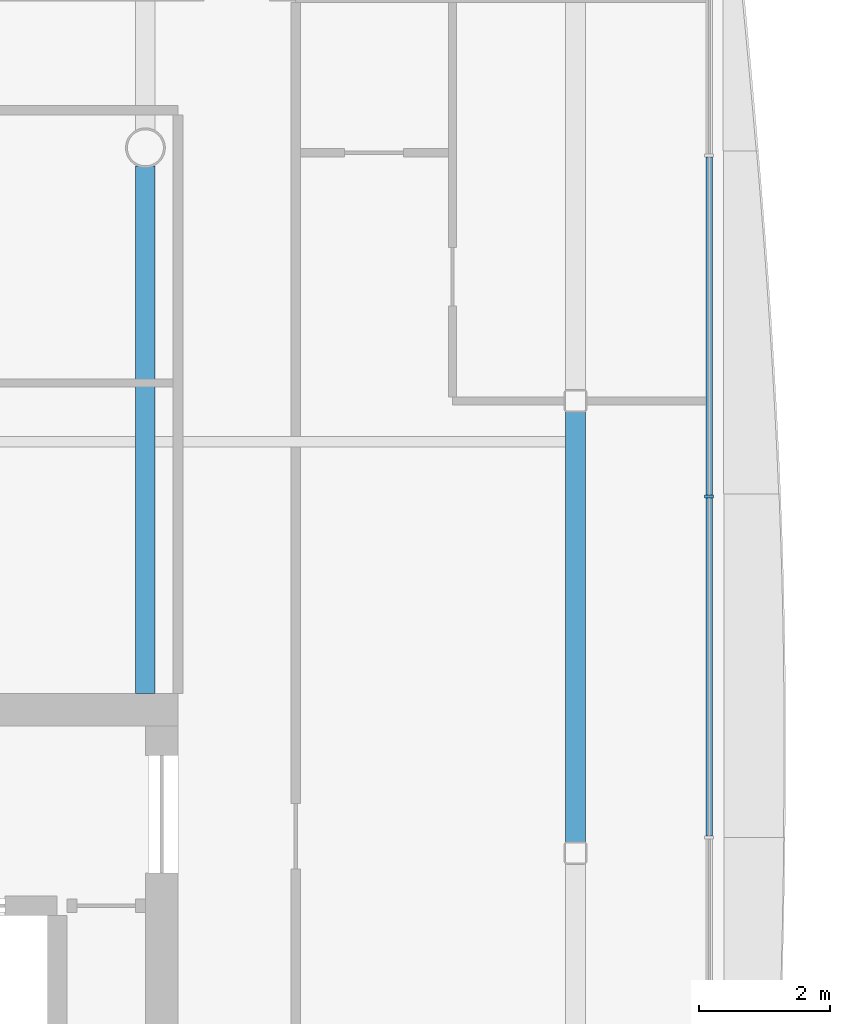
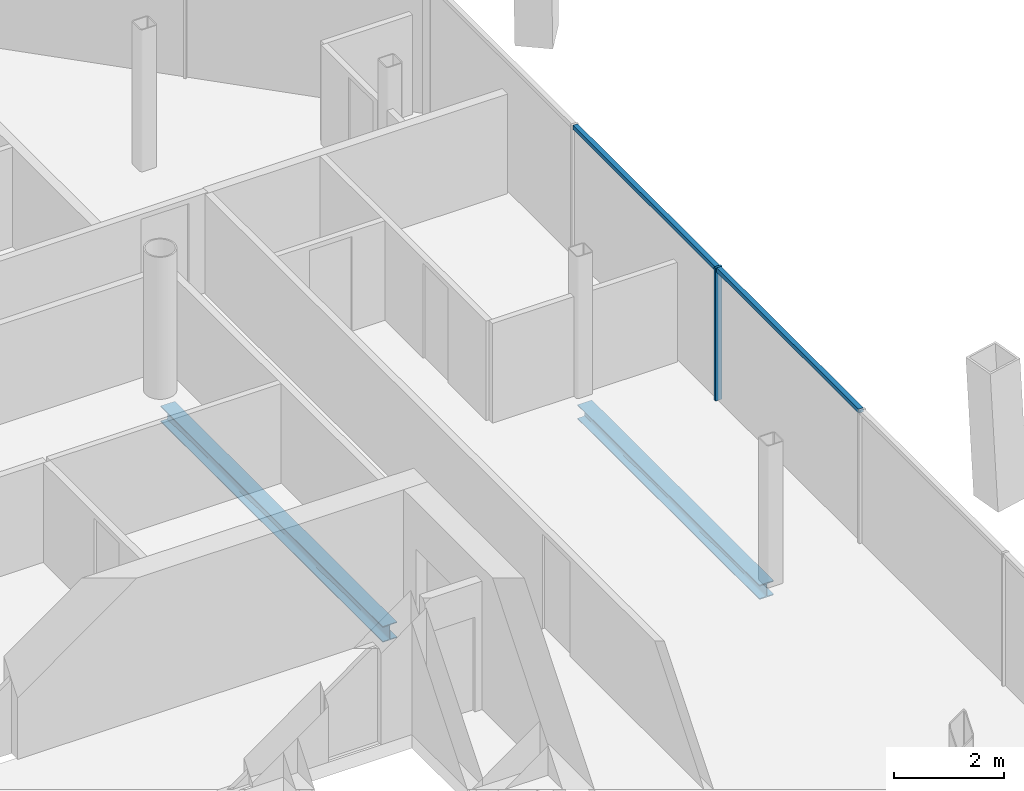
# One storey, part 9 of 20: 3 members, 2 beams, 1 element without a shape of its own.
"""IFC4 building model written with IfcOpenShell, lengths in metres."""

from ifc_helpers import new_model, si_unit, direction, frame, origin, origin_2d, place, context, subcontext, project, spatial, rectangle, i_section, extrude, material, material_profile, profile_set, type_object, element, aggregate, save


model = new_model("IFC4")

# Units and contexts
model_context = context("Model", 3, precision=1e-05, world=origin(), true_north=direction((0.0, 1.0)))
body_context = subcontext(model_context, "Body", "Model", "MODEL_VIEW")
ifc_project = project(units=[si_unit("LENGTHUNIT", "METRE"), si_unit("AREAUNIT", "SQUARE_METRE"), si_unit("VOLUMEUNIT", "CUBIC_METRE"), si_unit("PLANEANGLEUNIT", "RADIAN"), si_unit("MASSUNIT", "GRAM", prefix="KILO")], contexts=[model_context])

# Site, building, storey
site_placement = place(None, origin())
site = spatial("IfcSite", under=ifc_project, at=site_placement, CompositionType="ELEMENT")
building_placement = place(site_placement, origin())
building = spatial("IfcBuilding", under=site, at=building_placement, Name="Tskaro Facet Tower", CompositionType="ELEMENT")
storey_placement = place(building_placement, frame((0.0, 0.0, 184.800048828125)))
storey = spatial("IfcBuildingStorey", under=building, at=storey_placement, Name="L46", CompositionType="ELEMENT", Elevation=184.800048828125)

# Curtain wall, members
ifc_material_1 = material(Name="Bronze anodised aluminium 6063-T6", Category="aluminium")
curtain_wall_type = type_object("IfcCurtainWallType", Name="Bronze residence curtain wall (FW3)", PredefinedType="NOTDEFINED", material=ifc_material_1)
curtain_wall_placement = place(storey_placement, origin())
curtain_wall = element("IfcCurtainWall", 1, at=curtain_wall_placement, inside=storey, type_object=curtain_wall_type, Name="FW3 east facet L46", PredefinedType="NOTDEFINED")
ifc_material_profile_1 = material_profile(ifc_material_1, rectangle(XDim=0.050048828125, YDim=0.139892578125, at=origin_2d()), Name="Mullion 50x140")
ifc_profile_set_1 = profile_set([ifc_material_profile_1], Name="Bronze anodised aluminium 6063-T6")
member_type_1 = type_object("IfcMemberType", Name="FW3 bronze mullion 50x140", PredefinedType="MULLION", material=ifc_profile_set_1)
member_1_placement = place(storey_placement, frame((17.6279296875, 3.66357421875, 0.0), z_axis=(0.0, 0.0, 1.0), x_axis=(0.0, 1.0, 0.0)))
member_1 = element("IfcMember", 2, at=member_1_placement, type_object=member_type_1, Name="FW3 east mullion 4", PredefinedType="MULLION", context=body_context, shape_type="SweptSolid", body=[
    extrude(rectangle(XDim=0.050048828125, YDim=0.139892578125, at=origin_2d()), origin(), (0.0, 0.0, 1.0), 2.949951171875),
])
ifc_material_profile_2 = material_profile(ifc_material_1, rectangle(XDim=0.10009765625, YDim=0.090087890625, at=origin_2d()), Name="Transom 100x90")
ifc_profile_set_2 = profile_set([ifc_material_profile_2], Name="Bronze anodised aluminium 6063-T6")
member_type_2 = type_object("IfcMemberType", Name="FW3 bronze transom 100x90", PredefinedType="USERDEFINED", material=ifc_profile_set_2)
member_2_placement = place(storey_placement, frame((17.6279296875, -1.529541015625, 2.905029296875), z_axis=(0.0, 1.0, 0.0), x_axis=(-1.0, 0.0, 0.0)))
member_2 = element("IfcMember", 3, at=member_2_placement, type_object=member_type_2, Name="FW3 east transom 4.1", ObjectType="TRANSOM", PredefinedType="USERDEFINED", context=body_context, shape_type="SweptSolid", body=[
    extrude(rectangle(XDim=0.10009765625, YDim=0.090087890625, at=origin_2d()), origin(), (0.0, 0.0, 1.0), 5.168212890625),
])
member_3_placement = place(storey_placement, frame((17.6279296875, 3.688720703125, 2.905029296875), z_axis=(0.0, 1.0, 0.0), x_axis=(-1.0, 0.0, 0.0)))
member_3 = element("IfcMember", 4, at=member_3_placement, type_object=member_type_2, Name="FW3 east transom 5.1", ObjectType="TRANSOM", PredefinedType="USERDEFINED", context=body_context, shape_type="SweptSolid", body=[
    extrude(rectangle(XDim=0.10009765625, YDim=0.090087890625, at=origin_2d()), origin(), (0.0, 0.0, 1.0), 5.168212890625),
])
aggregate(curtain_wall, [member_1, member_2, member_3])

# Beams
ifc_material_2 = material(Name="Steel S355J2", Category="steel")
ifc_material_profile_3 = material_profile(ifc_material_2, i_section(OverallWidth=0.300048828125, OverallDepth=0.320068359375, WebThickness=0.011474609375, FlangeThickness=0.0205078125, FilletRadius=0.027099609375, at=origin_2d()), Name="HE 320 B")
ifc_profile_set_3 = profile_set([ifc_material_profile_3], Name="Steel S355J2")
beam_type_1 = type_object("IfcBeamType", Name="HE 320 B ring beam", PredefinedType="BEAM", material=ifc_profile_set_3)
beam_1_placement = place(storey_placement, frame((15.5830078125, -1.637939453125, -0.300048828125), z_axis=(0.0, 1.0, 0.0), x_axis=(-1.0, 0.0, 0.0)))
element("IfcBeam", 5, at=beam_1_placement, inside=storey, type_object=beam_type_1, Name="HE 320 B EB8-4", PredefinedType="BEAM", context=body_context, shape_type="SweptSolid", body=[
    extrude(i_section(OverallWidth=0.300048828125, OverallDepth=0.320068359375, WebThickness=0.011474609375, FlangeThickness=0.0205078125, FilletRadius=0.027099609375, at=origin_2d()), origin(), (0.0, 0.0, 1.0), 6.60888671875),
])
ifc_material_profile_4 = material_profile(ifc_material_2, i_section(OverallWidth=0.300048828125, OverallDepth=0.35009765625, WebThickness=0.010009765625, FlangeThickness=0.017578125, FilletRadius=0.027099609375, at=origin_2d()), Name="HE 360 A")
ifc_profile_set_4 = profile_set([ifc_material_profile_4], Name="Steel S355J2")
beam_type_2 = type_object("IfcBeamType", Name="HE 360 A girder", PredefinedType="BEAM", material=ifc_profile_set_4)
beam_2_placement = place(storey_placement, frame((9.0, 0.64990234375, -0.31494140625), z_axis=(0.0, 1.0, 0.0), x_axis=(-1.0, 0.0, 0.0)))
element("IfcBeam", 6, at=beam_2_placement, inside=storey, type_object=beam_type_2, Name="HE 360 A GB5-2-4", PredefinedType="BEAM", context=body_context, shape_type="SweptSolid", body=[
    extrude(i_section(OverallWidth=0.300048828125, OverallDepth=0.35009765625, WebThickness=0.010009765625, FlangeThickness=0.017578125, FilletRadius=0.027099609375, at=origin_2d()), origin(), (0.0, 0.0, 1.0), 8.0751953125),
])

save(model, "model.ifc")
